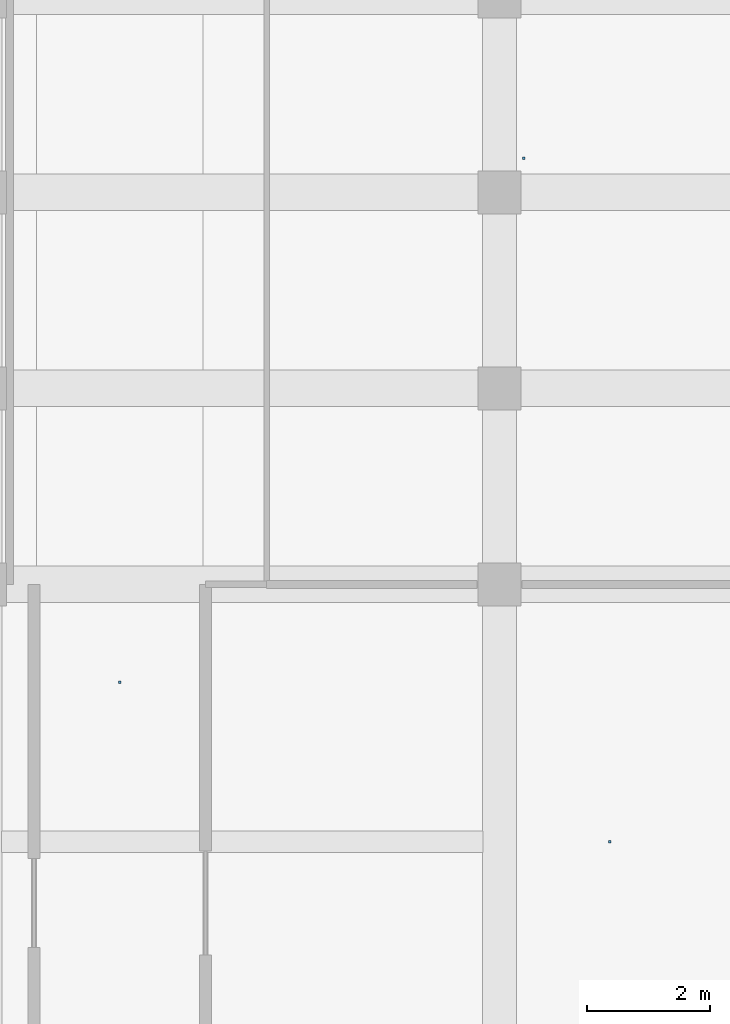
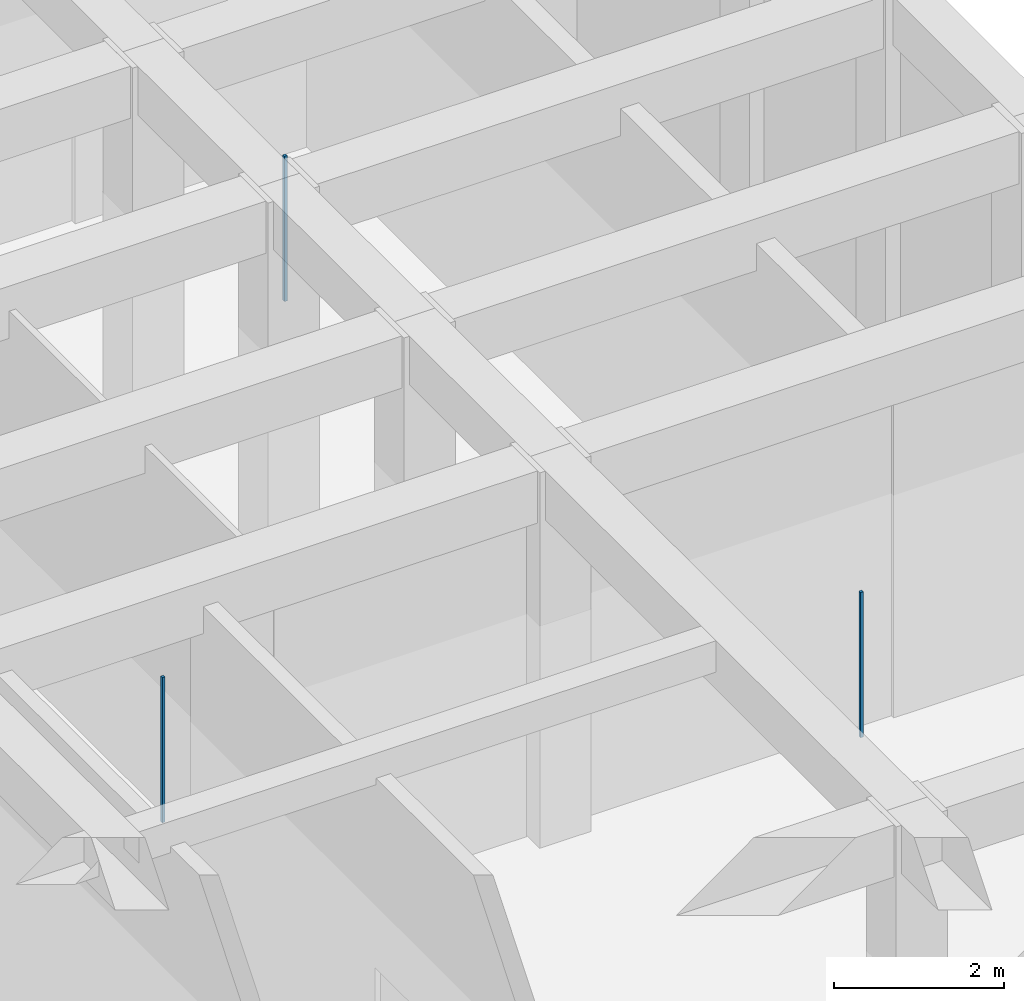
# One storey, part 139 of 167: 3 discrete accessories.
"""IFC4 building model written with IfcOpenShell, lengths in metres."""

from ifc_helpers import new_model, si_unit, direction, frame, origin, origin_2d, place, context, subcontext, project, spatial, rectangle, extrude, material, type_object, element, save


model = new_model("IFC4")

# Units and contexts
model_context = context("Model", 3, precision=1e-05, world=origin(), true_north=direction((0.0, 1.0)))
body_context = subcontext(model_context, "Body", "Model", "MODEL_VIEW")
ifc_project = project(units=[si_unit("LENGTHUNIT", "METRE"), si_unit("AREAUNIT", "SQUARE_METRE"), si_unit("VOLUMEUNIT", "CUBIC_METRE"), si_unit("PLANEANGLEUNIT", "RADIAN"), si_unit("MASSUNIT", "GRAM", prefix="KILO")], contexts=[model_context])

# Site, building, storey
site_placement = place(None, origin())
site = spatial("IfcSite", under=ifc_project, at=site_placement, CompositionType="ELEMENT")
building_placement = place(site_placement, origin())
building = spatial("IfcBuilding", under=site, at=building_placement, Name="Varncliffe General Hospital", CompositionType="ELEMENT")
storey_placement = place(building_placement, origin())
storey = spatial("IfcBuildingStorey", under=building, at=storey_placement, Name="L00", CompositionType="ELEMENT", Elevation=0.0)

# Discrete accessories
ifc_material = material(Name="Powder-coated hospital steel guardrail and handrail", Category="steel")
discrete_accessory_type = type_object("IfcDiscreteAccessoryType", Name="Suspended Ceiling Hanger Bracket CH01", PredefinedType="BRACKET", material=ifc_material)
for number, where, z_axis, x_axis, name in (
    (1, (161.800048828125, 98.0, 3.18994140625), (0.0, 0.0, 1.0), (1.0, 0.0, 0.0), "L00 Suspended Ceiling Hanger 8"),
    (2, (168.39990234375, 106.554931640625, 3.18994140625), (0.0, 0.0, 1.0), (1.0, 0.0, 0.0), "L00 Suspended Ceiling Hanger 95"),
    (3, (169.800048828125, 95.39990234375, 3.18994140625), (0.0, 0.0, 1.0), (1.0, 0.0, 0.0), "L00 Suspended Ceiling Hanger 106"),
):
    element("IfcDiscreteAccessory", number, at=place(storey_placement, frame(where, z_axis=z_axis, x_axis=x_axis)), inside=storey, type_object=discrete_accessory_type, Name=name, PredefinedType="BRACKET", context=body_context, shape_type="SweptSolid", body=[
        extrude(rectangle(XDim=0.0400390625, YDim=0.0400390625, at=origin_2d()), origin(), (0.0, 0.0, 1.0), 2.090087890625),
    ])

save(model, "model.ifc")
